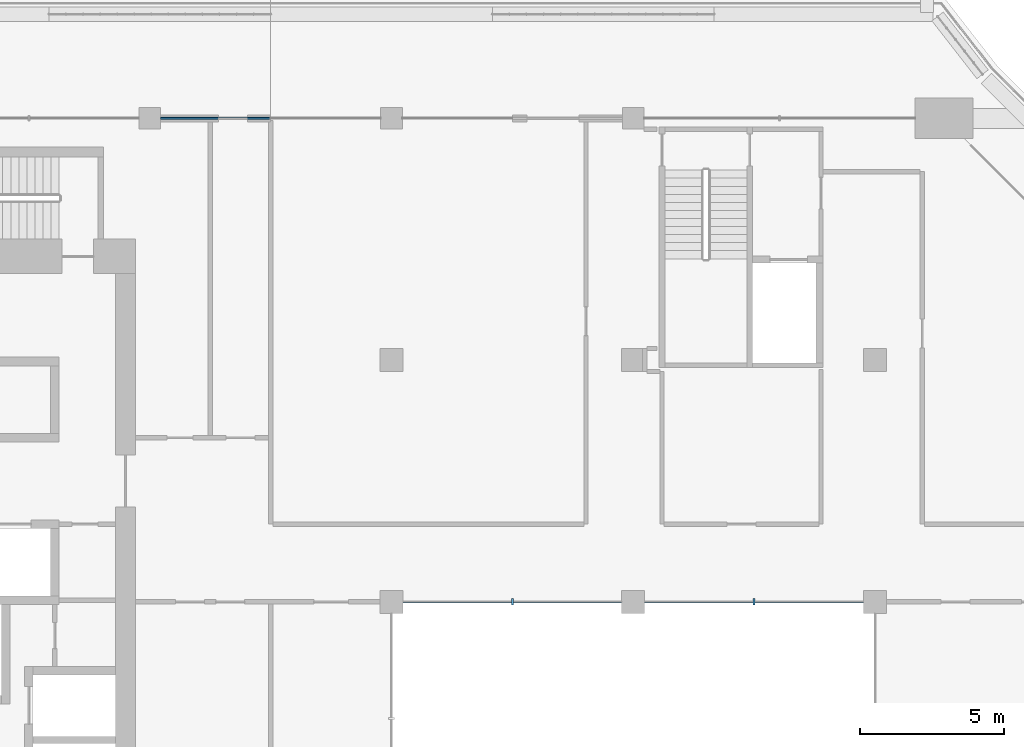
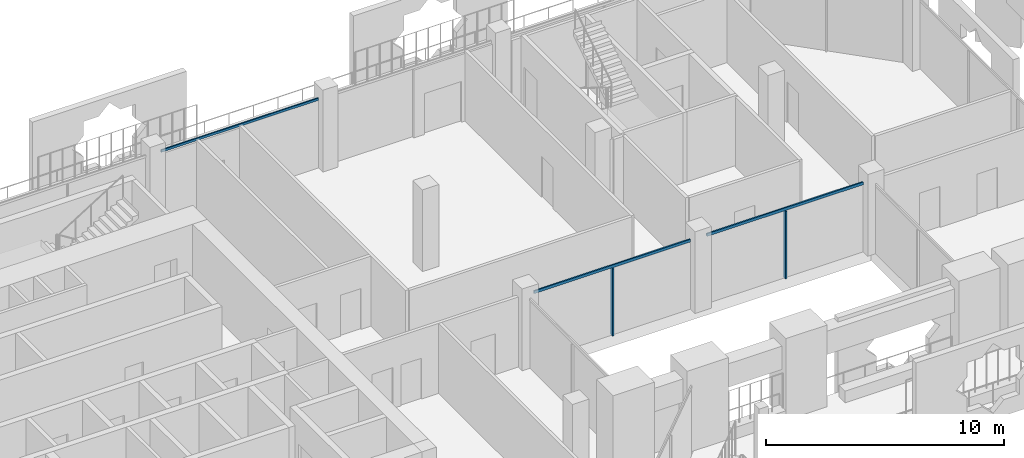
# One storey, part 6 of 22: 5 members, 2 elements without a shape of their own.
"""IFC4 building model written with IfcOpenShell, lengths in metres."""

from ifc_helpers import new_model, si_unit, direction, frame, origin, origin_2d, place, context, subcontext, project, spatial, rectangle, extrude, material, layer, layer_set, material_profile, profile_set, type_object, element, aggregate, save


model = new_model("IFC4")

# Units and contexts
model_context = context("Model", 3, precision=1e-05, world=origin(), true_north=direction((0.0, 1.0)))
body_context = subcontext(model_context, "Body", "Model", "MODEL_VIEW")
ifc_project = project(units=[si_unit("LENGTHUNIT", "METRE"), si_unit("AREAUNIT", "SQUARE_METRE"), si_unit("VOLUMEUNIT", "CUBIC_METRE"), si_unit("PLANEANGLEUNIT", "RADIAN"), si_unit("MASSUNIT", "GRAM", prefix="KILO")], contexts=[model_context])

# Site, building, storey
site_placement = place(None, origin())
site = spatial("IfcSite", under=ifc_project, at=site_placement, CompositionType="ELEMENT")
building_placement = place(site_placement, origin())
building = spatial("IfcBuilding", under=site, at=building_placement, Name="Kawkab Arch Medical Tower", CompositionType="ELEMENT")
storey_placement = place(building_placement, frame((0.0, 0.0, 286.0)))
storey = spatial("IfcBuildingStorey", under=building, at=storey_placement, Name="L66", CompositionType="ELEMENT", Elevation=286.0)

# Curtain wall, member
ifc_material_1 = material(Name="Bronze anodised aluminium curtain wall frame", Category="aluminium")
ifc_layer_1 = layer(ifc_material_1, 0.159912109375)
ifc_layer_set_1 = layer_set([ifc_layer_1], Name="Bronze anodised aluminium curtain wall frame")
curtain_wall_type_1 = type_object("IfcCurtainWallType", Name="CW1 ward curtain wall", PredefinedType="NOTDEFINED", material=ifc_layer_set_1)
placement = place(storey_placement, origin())
curtain_wall_1 = element("IfcCurtainWall", 1, at=placement, inside=storey, type_object=curtain_wall_type_1, Name="CW1 Ward curtain wall R10", PredefinedType="NOTDEFINED")
ifc_material_2 = material(Name="Bronze anodised aluminium curtain wall frame", Category="aluminium")
ifc_material_profile_1 = material_profile(ifc_material_2, rectangle(XDim=0.06005859375, YDim=0.1201171875, at=origin_2d()), Name="AL 60x120")
ifc_profile_set_1 = profile_set([ifc_material_profile_1], Name="Bronze anodised aluminium curtain wall frame")
member_type_1 = type_object("IfcMemberType", Name="CW1 transom 120 x 60", PredefinedType="USERDEFINED", material=ifc_profile_set_1)
member_1_placement = place(storey_placement, frame((33.22509765625, 0.0, 3.5400390625), z_axis=(-1.0, 0.0, 0.0), x_axis=(0.0, -1.0, 0.0)))
member_1 = element("IfcMember", 2, at=member_1_placement, type_object=member_type_1, Name="CW1 transom 3", ObjectType="TRANSOM", PredefinedType="USERDEFINED", context=body_context, shape_type="SweptSolid", body=[
    extrude(rectangle(XDim=0.06005859375, YDim=0.1201171875, at=origin_2d()), origin(), (0.0, 0.0, 1.0), 7.650146484375),
])
aggregate(curtain_wall_1, [member_1])

# Curtain wall, members
ifc_material_3 = material(Name="Bronze anodised aluminium curtain wall frame", Category="aluminium")
ifc_layer_2 = layer(ifc_material_3, 0.159912109375)
ifc_layer_set_2 = layer_set([ifc_layer_2], Name="Bronze anodised aluminium curtain wall frame")
curtain_wall_type_2 = type_object("IfcCurtainWallType", Name="CW3 sky garden curtain wall", PredefinedType="NOTDEFINED", material=ifc_layer_set_2)
curtain_wall_2 = element("IfcCurtainWall", 3, at=placement, inside=storey, type_object=curtain_wall_type_2, Name="CW3 Sky garden curtain wall R04", PredefinedType="NOTDEFINED")
ifc_material_4 = material(Name="Bronze anodised aluminium curtain wall frame", Category="aluminium")
ifc_material_profile_2 = material_profile(ifc_material_4, rectangle(XDim=0.219970703125, YDim=0.070068359375, at=origin_2d()), Name="AL 70x220")
ifc_profile_set_2 = profile_set([ifc_material_profile_2], Name="Bronze anodised aluminium curtain wall frame")
member_type_2 = type_object("IfcMemberType", Name="CW3 mullion 70 x 220", PredefinedType="MULLION", material=ifc_profile_set_2)
member_2_placement = place(storey_placement, frame((37.800048828125, -16.800048828125, 0.0), z_axis=(0.0, 0.0, 1.0), x_axis=(0.0, 1.0, 0.0)))
member_2 = element("IfcMember", 4, at=member_2_placement, type_object=member_type_2, Name="CW3 mullion 1.1", PredefinedType="MULLION", context=body_context, shape_type="SweptSolid", body=[
    extrude(rectangle(XDim=0.219970703125, YDim=0.070068359375, at=origin_2d()), origin(), (0.0, 0.0, 1.0), 3.4599609375),
])
member_3_placement = place(storey_placement, frame((46.199951171875, -16.800048828125, 0.0), z_axis=(0.0, 0.0, 1.0), x_axis=(0.0, 1.0, 0.0)))
member_3 = element("IfcMember", 5, at=member_3_placement, type_object=member_type_2, Name="CW3 mullion 2.1", PredefinedType="MULLION", context=body_context, shape_type="SweptSolid", body=[
    extrude(rectangle(XDim=0.219970703125, YDim=0.070068359375, at=origin_2d()), origin(), (0.0, 0.0, 1.0), 3.4599609375),
])
ifc_material_5 = material(Name="Bronze anodised aluminium curtain wall frame", Category="aluminium")
ifc_material_profile_3 = material_profile(ifc_material_5, rectangle(XDim=0.070068359375, YDim=0.139892578125, at=origin_2d()), Name="AL 70x140")
ifc_profile_set_3 = profile_set([ifc_material_profile_3], Name="Bronze anodised aluminium curtain wall frame")
member_type_3 = type_object("IfcMemberType", Name="CW3 transom 140 x 70", PredefinedType="USERDEFINED", material=ifc_profile_set_3)
member_4_placement = place(storey_placement, frame((34.0, -16.800048828125, 3.530029296875), z_axis=(1.0, 0.0, 0.0), x_axis=(0.0, 1.0, 0.0)))
member_4 = element("IfcMember", 6, at=member_4_placement, type_object=member_type_3, Name="CW3 transom 1", ObjectType="TRANSOM", PredefinedType="USERDEFINED", context=body_context, shape_type="SweptSolid", body=[
    extrude(rectangle(XDim=0.070068359375, YDim=0.139892578125, at=origin_2d()), origin(), (0.0, 0.0, 1.0), 7.60009765625),
])
member_5_placement = place(storey_placement, frame((42.39990234375, -16.800048828125, 3.530029296875), z_axis=(1.0, 0.0, 0.0), x_axis=(0.0, 1.0, 0.0)))
member_5 = element("IfcMember", 7, at=member_5_placement, type_object=member_type_3, Name="CW3 transom 2", ObjectType="TRANSOM", PredefinedType="USERDEFINED", context=body_context, shape_type="SweptSolid", body=[
    extrude(rectangle(XDim=0.070068359375, YDim=0.139892578125, at=origin_2d()), origin(), (0.0, 0.0, 1.0), 7.60009765625),
])
aggregate(curtain_wall_2, [member_4, member_2, member_5, member_3])

save(model, "model.ifc")
